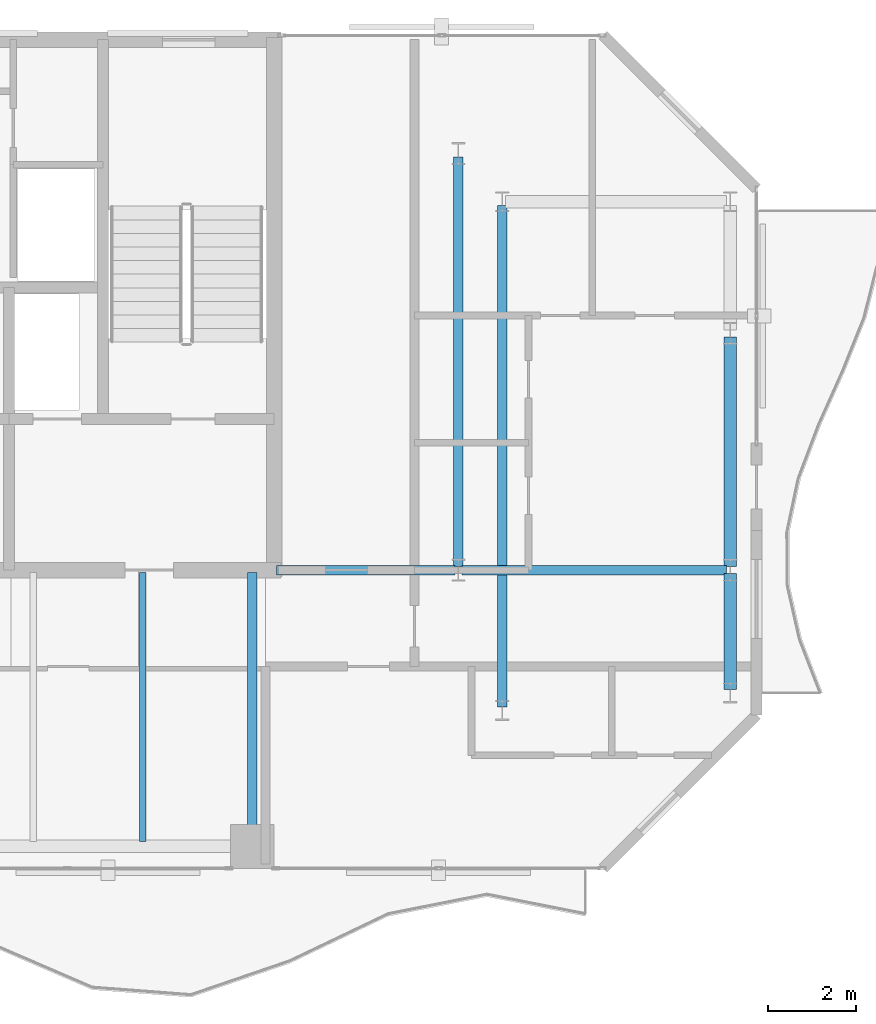
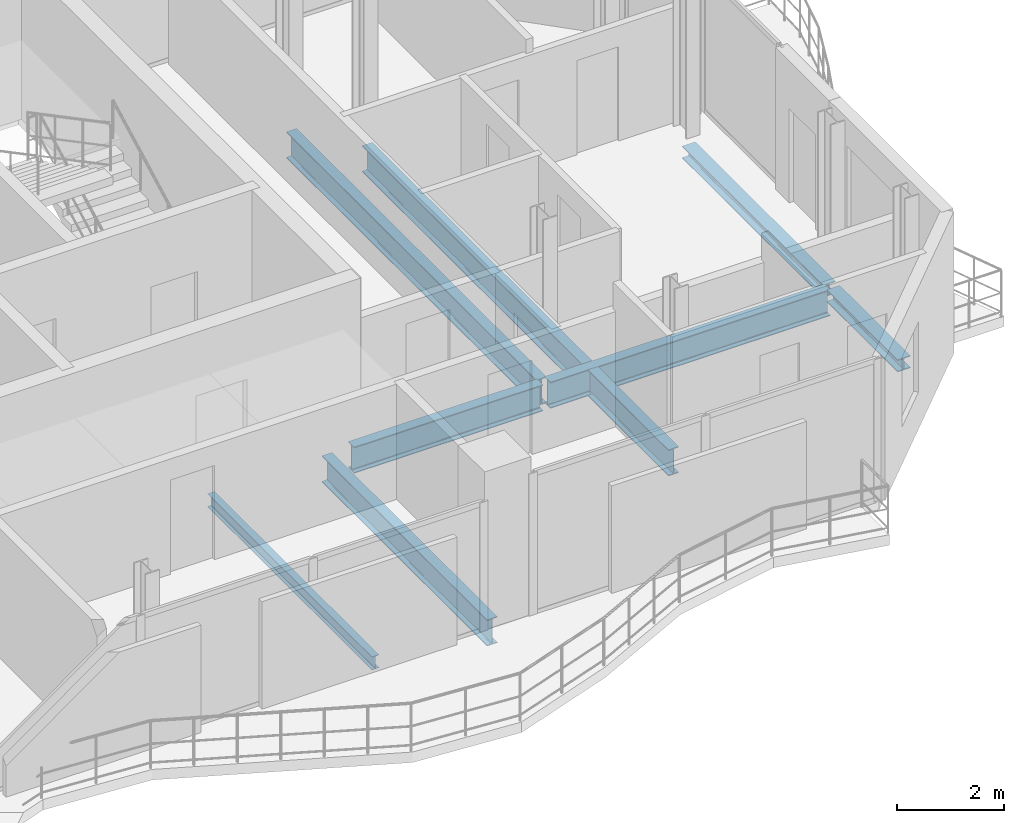
# One storey, part 13 of 23: 8 beams.
"""IFC4 building model written with IfcOpenShell, lengths in metres."""

from ifc_helpers import new_model, si_unit, direction, frame, origin, origin_2d, place, context, subcontext, project, spatial, i_section, extrude, material, material_profile, profile_set, type_object, element, save


model = new_model("IFC4")

# Units and contexts
model_context = context("Model", 3, precision=1e-05, world=origin(), true_north=direction((0.0, 1.0)))
body_context = subcontext(model_context, "Body", "Model", "MODEL_VIEW")
ifc_project = project(units=[si_unit("LENGTHUNIT", "METRE"), si_unit("AREAUNIT", "SQUARE_METRE"), si_unit("VOLUMEUNIT", "CUBIC_METRE"), si_unit("PLANEANGLEUNIT", "RADIAN"), si_unit("MASSUNIT", "GRAM", prefix="KILO")], contexts=[model_context])

# Site, building, storey
site_placement = place(None, origin())
site = spatial("IfcSite", under=ifc_project, at=site_placement, CompositionType="ELEMENT")
building_placement = place(site_placement, origin())
building = spatial("IfcBuilding", under=site, at=building_placement, Name="Catumbela Crestline Tower", CompositionType="ELEMENT")
storey_placement = place(building_placement, frame((0.0, 0.0, 204.6)))
storey = spatial("IfcBuildingStorey", under=building, at=storey_placement, Name="L53", CompositionType="ELEMENT", Elevation=204.6)

# Beams
ifc_material = material(Name="Structural steel S355J2", Category="steel")
ifc_material_profile_1 = material_profile(ifc_material, i_section(OverallWidth=0.22, OverallDepth=0.6, WebThickness=0.012, FlangeThickness=0.019, FilletRadius=0.024, at=origin_2d()), Name="IPE 600")
ifc_profile_set_1 = profile_set([ifc_material_profile_1], Name="Structural steel S355J2")
beam_type_1 = type_object("IfcBeamType", Name="BG-IPE600", PredefinedType="BEAM", material=ifc_profile_set_1)
beam_1_placement = place(storey_placement, frame((40.05, 30.8, -0.56), z_axis=(1.0, 0.0, 0.0), x_axis=(0.0, 1.0, 0.0)))
element("IfcBeam", 1, at=beam_1_placement, inside=storey, type_object=beam_type_1, Name="L53 Beam BM-L53-M08", PredefinedType="BEAM", context=body_context, shape_type="SweptSolid", body=[
    extrude(i_section(OverallWidth=0.22, OverallDepth=0.6, WebThickness=0.012, FlangeThickness=0.019, FilletRadius=0.024, at=origin_2d()), origin(), (0.0, 0.0, 1.0), 4.07),
])
beam_2_placement = place(storey_placement, frame((44.28, 30.8, -0.56), z_axis=(1.0, 0.0, 0.0), x_axis=(0.0, 1.0, 0.0)))
element("IfcBeam", 2, at=beam_2_placement, inside=storey, type_object=beam_type_1, Name="L53 Beam BM-L53-M09", PredefinedType="BEAM", context=body_context, shape_type="SweptSolid", body=[
    extrude(i_section(OverallWidth=0.22, OverallDepth=0.6, WebThickness=0.012, FlangeThickness=0.019, FilletRadius=0.024, at=origin_2d()), origin(), (0.0, 0.0, 1.0), 6.04),
])
beam_3_placement = place(storey_placement, frame((39.5, 24.58, -0.56), z_axis=(0.0, 1.0, 0.0), x_axis=(-1.0, 0.0, 0.0)))
element("IfcBeam", 3, at=beam_3_placement, inside=storey, type_object=beam_type_1, Name="L53 Beam BM-L53-SNS20", PredefinedType="BEAM", context=body_context, shape_type="SweptSolid", body=[
    extrude(i_section(OverallWidth=0.22, OverallDepth=0.6, WebThickness=0.012, FlangeThickness=0.019, FilletRadius=0.024, at=origin_2d()), origin(), (0.0, 0.0, 1.0), 6.17),
])
beam_4_placement = place(storey_placement, frame((44.2, 30.88, -0.56), z_axis=(0.0, 1.0, 0.0), x_axis=(-1.0, 0.0, 0.0)))
element("IfcBeam", 4, at=beam_4_placement, inside=storey, type_object=beam_type_1, Name="L53 Beam BM-L53-SN21", PredefinedType="BEAM", context=body_context, shape_type="SweptSolid", body=[
    extrude(i_section(OverallWidth=0.22, OverallDepth=0.6, WebThickness=0.012, FlangeThickness=0.019, FilletRadius=0.024, at=origin_2d()), origin(), (0.0, 0.0, 1.0), 9.34),
])
beam_5_placement = place(storey_placement, frame((45.2, 27.68, -0.56), z_axis=(0.0, 1.0, 0.0), x_axis=(-1.0, 0.0, 0.0)))
element("IfcBeam", 5, at=beam_5_placement, inside=storey, type_object=beam_type_1, Name="L53 Beam BM-L53-SN22", PredefinedType="BEAM", context=body_context, shape_type="SweptSolid", body=[
    extrude(i_section(OverallWidth=0.22, OverallDepth=0.6, WebThickness=0.012, FlangeThickness=0.019, FilletRadius=0.024, at=origin_2d()), origin(), (0.0, 0.0, 1.0), 11.44),
])
ifc_material_profile_2 = material_profile(ifc_material, i_section(OverallWidth=0.15, OverallDepth=0.3, WebThickness=0.0071, FlangeThickness=0.0107, FilletRadius=0.015, at=origin_2d()), Name="IPE 300")
ifc_profile_set_2 = profile_set([ifc_material_profile_2], Name="Structural steel S355J2")
beam_type_2 = type_object("IfcBeamType", Name="BJ-IPE300", PredefinedType="JOIST", material=ifc_profile_set_2)
beam_6_placement = place(storey_placement, frame((37.0, 24.61, -0.41), z_axis=(0.0, 1.0, 0.0), x_axis=(-1.0, 0.0, 0.0)))
element("IfcBeam", 6, at=beam_6_placement, inside=storey, type_object=beam_type_2, Name="L53 Joist JS-L53-SP31", PredefinedType="JOIST", context=body_context, shape_type="SweptSolid", body=[
    extrude(i_section(OverallWidth=0.15, OverallDepth=0.3, WebThickness=0.0071, FlangeThickness=0.0107, FilletRadius=0.015, at=origin_2d()), origin(), (0.0, 0.0, 1.0), 6.14),
])
ifc_material_profile_3 = material_profile(ifc_material, i_section(OverallWidth=0.28, OverallDepth=0.28, WebThickness=0.0105, FlangeThickness=0.018, FilletRadius=0.024, at=origin_2d()), Name="HEB 280")
ifc_profile_set_3 = profile_set([ifc_material_profile_3], Name="Structural steel S355J2")
beam_type_3 = type_object("IfcBeamType", Name="BS-HEB280", PredefinedType="SPANDREL", material=ifc_profile_set_3)
beam_7_placement = place(storey_placement, frame((50.4, 28.08, -0.4), z_axis=(0.0, 1.0, 0.0), x_axis=(-1.0, 0.0, 0.0)))
element("IfcBeam", 7, at=beam_7_placement, inside=storey, type_object=beam_type_3, Name="L53 Spandrel SP-L53-SN23", PredefinedType="SPANDREL", context=body_context, shape_type="SweptSolid", body=[
    extrude(i_section(OverallWidth=0.28, OverallDepth=0.28, WebThickness=0.0105, FlangeThickness=0.018, FilletRadius=0.024, at=origin_2d()), origin(), (0.0, 0.0, 1.0), 2.64),
])
beam_8_placement = place(storey_placement, frame((50.4, 30.88, -0.4), z_axis=(0.0, 1.0, 0.0), x_axis=(-1.0, 0.0, 0.0)))
element("IfcBeam", 8, at=beam_8_placement, inside=storey, type_object=beam_type_3, Name="L53 Spandrel SP-L53-SN24", PredefinedType="SPANDREL", context=body_context, shape_type="SweptSolid", body=[
    extrude(i_section(OverallWidth=0.28, OverallDepth=0.28, WebThickness=0.0105, FlangeThickness=0.018, FilletRadius=0.024, at=origin_2d()), origin(), (0.0, 0.0, 1.0), 5.24),
])

save(model, "model.ifc")
